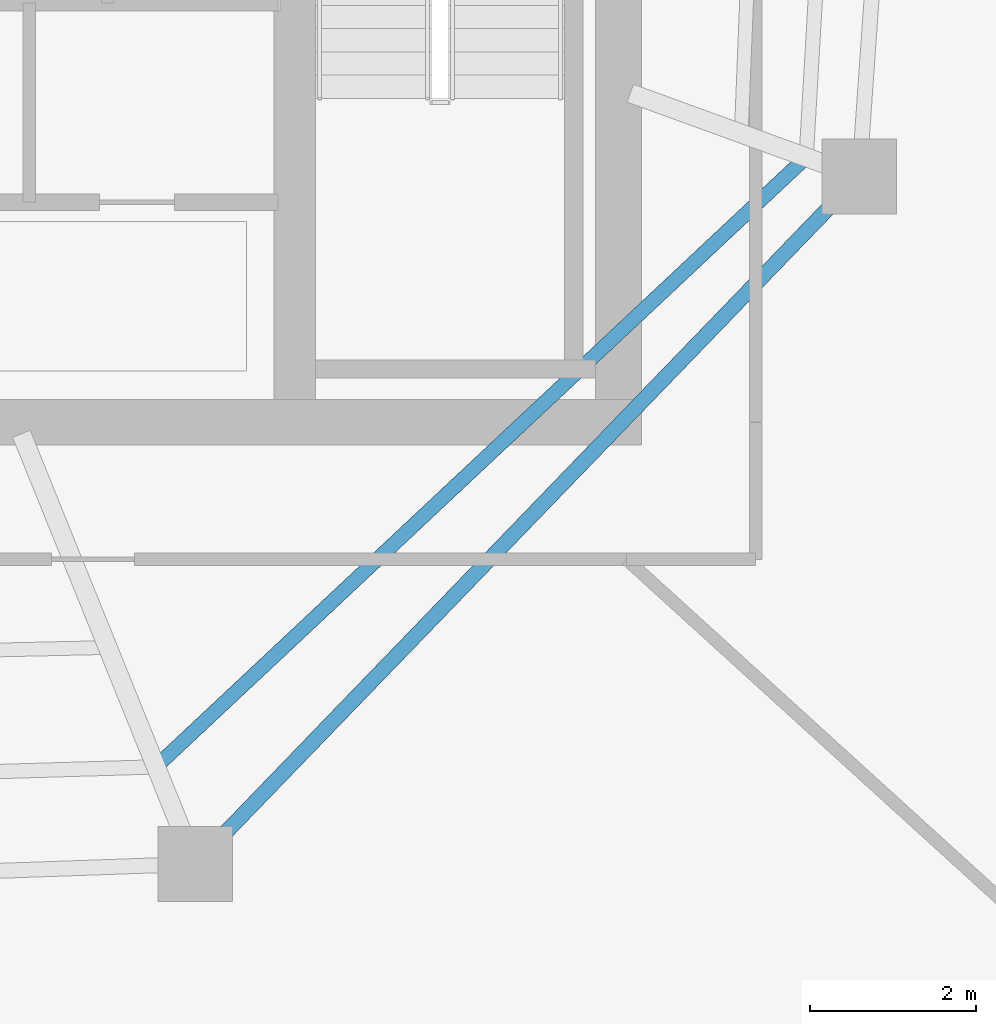
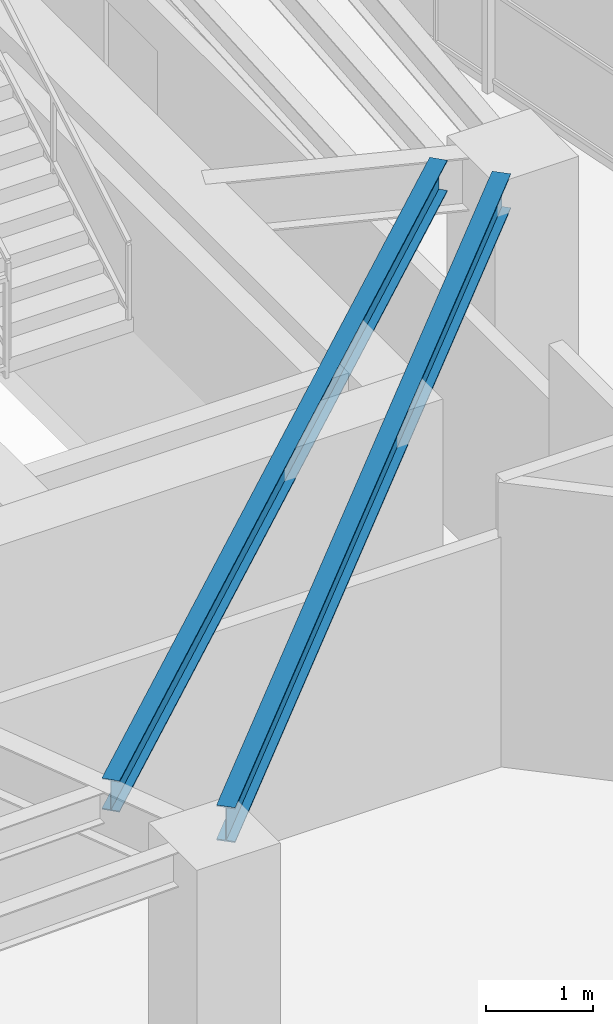
# One storey, part 5 of 18: 2 beams.
"""IFC4 building model written with IfcOpenShell, lengths in metres."""

import ifcopenshell
import ifcopenshell.guid

model = None  # the IFC model being written
_history = None  # IfcOwnerHistory: only IFC2X3 demands one
_inside = {}  # id of a spatial element -> (the spatial element, [elements in it])
_under = {}  # id of a project, library or spatial element -> (it, [spatial elements below it])
_declared = {}  # id of a project -> (the project, [libraries it declares])
_typed = {}  # id of a type object -> (the type object, [elements of that type])
_made_of = {}  # id of a material, layer set ... -> (it, [elements and type objects made of it])


def new_model(schema):
    """Start an empty IFC model of exactly this schema.

    Asked for "IFC4X3", IfcOpenShell would pick the latest addendum, in which some entities
    have other attributes; the version numbers below select the first issue.
    IFC2X3 requires an IfcOwnerHistory on every rooted entity: one is made here for all.
    """
    global model, _history
    if schema == "IFC4X3":
        model = ifcopenshell.file(schema_version=(4, 3, 0, 0))
    else:
        model = ifcopenshell.file(schema=schema)
    _inside.clear()
    _under.clear()
    _declared.clear()
    _typed.clear()
    _made_of.clear()
    _history = None
    if model.schema == "IFC2X3":
        org = make("IfcOrganization", Name="unknown")
        user = make(
            "IfcPersonAndOrganization",
            ThePerson=make("IfcPerson", FamilyName="unknown"),
            TheOrganization=org,
        )
        app = make(
            "IfcApplication",
            ApplicationDeveloper=org,
            Version="unknown",
            ApplicationFullName="unknown",
            ApplicationIdentifier="unknown",
        )
        _history = make(
            "IfcOwnerHistory",
            OwningUser=user,
            OwningApplication=app,
            ChangeAction="ADDED",
            CreationDate=0,
        )
    return model


def make(cls, **values):
    """One entity of the class cls with the attributes given. An attribute that is None is left unset."""
    return model.create_entity(
        cls, **{name: value for name, value in values.items() if value is not None}
    )


def rooted(cls, **values):
    """An entity with a GlobalId (a new one), such as an element, a storey or a relation."""
    return make(cls, GlobalId=ifcopenshell.guid.new(), OwnerHistory=_history, **values)


def si_unit(unit_type, name, prefix=None):
    """IfcSIUnit, for example si_unit("LENGTHUNIT", "METRE", prefix="MILLI")."""
    return make("IfcSIUnit", UnitType=unit_type, Prefix=prefix, Name=name)


def assignment(units):
    """IfcUnitAssignment: the units of a project."""
    return None if units is None else make("IfcUnitAssignment", Units=units)


def point(xyz):
    """IfcCartesianPoint."""
    return None if xyz is None else make("IfcCartesianPoint", Coordinates=xyz)


def direction(xyz):
    """IfcDirection."""
    return None if xyz is None else make("IfcDirection", DirectionRatios=xyz)


def frame(location, z_axis=None, x_axis=None):
    """IfcAxis2Placement3D, a coordinate frame: its origin and axes. An axis left out is left unset."""
    return make(
        "IfcAxis2Placement3D",
        Location=point(location),
        Axis=direction(z_axis),
        RefDirection=direction(x_axis),
    )


def frame_2d(location, x_axis=None):
    """IfcAxis2Placement2D, a coordinate frame in the plane: its origin and x axis."""
    return make(
        "IfcAxis2Placement2D", Location=point(location), RefDirection=direction(x_axis)
    )


def origin():
    """The frame at (0, 0, 0) with its axes left unset."""
    return frame((0.0, 0.0, 0.0))


def origin_2d():
    """The frame at (0, 0) in the plane with its x axis left unset."""
    return frame_2d((0.0, 0.0))


def place(relative_to, where):
    """IfcLocalPlacement: puts the frame where relative to a parent placement (None: the world)."""
    return make(
        "IfcLocalPlacement", PlacementRelTo=relative_to, RelativePlacement=where
    )


def context(
    kind, dimensions, precision=None, world=None, true_north=None, identifier=None
):
    """IfcGeometricRepresentationContext, for example the 3D "Model" context."""
    return make(
        "IfcGeometricRepresentationContext",
        ContextIdentifier=identifier,
        ContextType=kind,
        CoordinateSpaceDimension=dimensions,
        Precision=precision,
        WorldCoordinateSystem=world,
        TrueNorth=true_north,
    )


def subcontext(parent, identifier, kind, view, scale=None):
    """IfcGeometricRepresentationSubContext, for example "Body" below "Model"."""
    return make(
        "IfcGeometricRepresentationSubContext",
        ContextIdentifier=identifier,
        ContextType=kind,
        ParentContext=parent,
        TargetScale=scale,
        TargetView=view,
    )


def project(units=None, contexts=None):
    """IfcProject with its units and contexts."""
    return rooted(
        "IfcProject",
        Name="project",
        RepresentationContexts=contexts,
        UnitsInContext=assignment(units),
    )


def spatial(cls, under=None, at=None, **own):
    """A site, building, storey or space (cls), placed at a placement, below another one or the project."""
    s = rooted(cls, ObjectPlacement=at, **own)
    if under is not None:
        _under.setdefault(under.id(), (under, []))[1].append(s)
    return s


def profile(cls, at=None, kind="AREA", **sizes):
    """A parametric profile (cls). Its sizes go by their IFC names, for example OverallWidth=200.0."""
    return make(cls, ProfileType=kind, Position=at, **sizes)


def i_section(**sizes):
    """IfcIShapeProfileDef."""
    return profile("IfcIShapeProfileDef", **sizes)


def extrude(swept, where, along, depth):
    """IfcExtrudedAreaSolid: the profile swept, set in the frame where, extruded along a direction by depth."""
    return make(
        "IfcExtrudedAreaSolid",
        SweptArea=swept,
        Position=where,
        ExtrudedDirection=direction(along),
        Depth=depth,
    )


def shape(context_of_items, identifier, shape_type, items):
    """IfcShapeRepresentation: the items that make up one representation, for example the "Body"."""
    return make(
        "IfcShapeRepresentation",
        ContextOfItems=context_of_items,
        RepresentationIdentifier=identifier,
        RepresentationType=shape_type,
        Items=items,
    )


def material(Name=None, Category=None):
    """IfcMaterial."""
    return make("IfcMaterial", Name=Name, Category=Category)


def material_profile(
    of_material, cross_section, Name=None, Category=None, Priority=None
):
    """IfcMaterialProfile: a cross section and its material."""
    return make(
        "IfcMaterialProfile",
        Name=Name,
        Material=of_material,
        Profile=cross_section,
        Priority=Priority,
        Category=Category,
    )


def profile_set(profiles, Name=None, composite=None):
    """IfcMaterialProfileSet."""
    return make(
        "IfcMaterialProfileSet",
        Name=Name,
        MaterialProfiles=profiles,
        CompositeProfile=composite,
    )


def made_of(thing, what):
    """Note that an element or type object is made of a material, layer set ...; save() writes the relation."""
    if what is not None:
        _made_of.setdefault(what.id(), (what, []))[1].append(thing)
    return thing


def type_object(cls, material=None, **own):
    """A type object (cls), such as IfcWallType, which elements share."""
    return made_of(rooted(cls, **own), material)


def element(
    cls,
    number,
    at=None,
    inside=None,
    cuts=None,
    type_object=None,
    material=None,
    context=None,
    identifier="Body",
    shape_type=None,
    held_by="IfcProductDefinitionShape",
    body=None,
    shapes=None,
    **own,
):
    """One element of the class cls, such as IfcWall. Its Tag is "e" and its number.

    at: its placement. inside: the storey or other place that contains it. cuts: it is an
    opening in that element (IfcRelVoidsElement). A single representation is given by context,
    identifier, shape_type and body (its items); several are given by shapes. held_by: the class
    of the entity that holds the representations. save() writes the other relations.
    """
    e = rooted(cls, Tag="e%d" % number, ObjectPlacement=at, **own)
    if body is not None:
        shapes = [shape(context, identifier, shape_type, body)]
    if shapes is not None:
        e.Representation = make(held_by, Representations=shapes)
    if inside is not None:
        _inside.setdefault(inside.id(), (inside, []))[1].append(e)
    if cuts is not None:
        rooted(
            "IfcRelVoidsElement", RelatingBuildingElement=cuts, RelatedOpeningElement=e
        )
    if type_object is not None:
        _typed.setdefault(type_object.id(), (type_object, []))[1].append(e)
    return made_of(e, material)


def aggregate(whole, parts):
    """IfcRelAggregates: a whole, such as a stair, and the parts it consists of."""
    return rooted("IfcRelAggregates", RelatingObject=whole, RelatedObjects=parts)


def save(model, path):
    """Write the relations noted so far, then the file.

    IfcRelAggregates (storeys below a building ...), IfcRelContainedInSpatialStructure (elements
    in a storey), IfcRelDefinesByType, IfcRelAssociatesMaterial and IfcRelDeclares: one each for
    every whole, place, type object, material and project.
    """
    for whole, parts in _under.values():
        aggregate(whole, parts)
    for where, things in _inside.values():
        rooted(
            "IfcRelContainedInSpatialStructure",
            RelatedElements=things,
            RelatingStructure=where,
        )
    for kind, things in _typed.values():
        rooted("IfcRelDefinesByType", RelatedObjects=things, RelatingType=kind)
    for what, things in _made_of.values():
        rooted("IfcRelAssociatesMaterial", RelatedObjects=things, RelatingMaterial=what)
    for by, libraries in _declared.values():
        rooted("IfcRelDeclares", RelatingContext=by, RelatedDefinitions=libraries)
    model.write(path)


model = new_model("IFC4")

# Units and contexts
model_context = context("Model", 3, precision=1e-05, world=origin(), true_north=direction((0.0, 1.0)))
body_context = subcontext(model_context, "Body", "Model", "MODEL_VIEW")
ifc_project = project(units=[si_unit("LENGTHUNIT", "METRE"), si_unit("AREAUNIT", "SQUARE_METRE"), si_unit("VOLUMEUNIT", "CUBIC_METRE"), si_unit("PLANEANGLEUNIT", "RADIAN"), si_unit("MASSUNIT", "GRAM", prefix="KILO")], contexts=[model_context])

# Site, building, storey
site_placement = place(None, origin())
site = spatial("IfcSite", under=ifc_project, at=site_placement, CompositionType="ELEMENT")
building_placement = place(site_placement, origin())
building = spatial("IfcBuilding", under=site, at=building_placement, Name="Qarnah Convention Tower", CompositionType="ELEMENT")
storey_placement = place(building_placement, frame((0.0, 0.0, 220.199951171875)))
storey = spatial("IfcBuildingStorey", under=building, at=storey_placement, Name="L59", CompositionType="ELEMENT", Elevation=220.199951171875)

# Beams
ifc_material = material(Name="Structural steel S355JR", Category="steel")
ifc_material_profile_1 = material_profile(ifc_material, i_section(OverallWidth=0.172119140625, OverallDepth=0.35595703125, WebThickness=0.007080078125, FlangeThickness=0.011962890625, at=origin_2d()), Name="W360X51")
ifc_profile_set_1 = profile_set([ifc_material_profile_1], Name="Structural steel S355JR")
beam_type_1 = type_object("IfcBeamType", Name="BM-JST-W360", PredefinedType="JOIST", material=ifc_profile_set_1)
beam_1_placement = place(storey_placement, frame((42.093994140625, 14.511962890625, 3.06201171875), z_axis=(0.729569665488, 0.683906501796, 0.0), x_axis=(-0.683906501796, 0.729569665488, 0.0)))
element("IfcBeam", 1, at=beam_1_placement, inside=storey, type_object=beam_type_1, Name="L59 joist BM-L59-SJST-08", PredefinedType="JOIST", context=body_context, shape_type="SweptSolid", body=[
    extrude(i_section(OverallWidth=0.172119140625, OverallDepth=0.35595703125, WebThickness=0.007080078125, FlangeThickness=0.011962890625, at=origin_2d()), origin(), (0.0, 0.0, 1.0), 10.55419921875),
])
ifc_material_profile_2 = material_profile(ifc_material, i_section(OverallWidth=0.179931640625, OverallDepth=0.39990234375, WebThickness=0.009033203125, FlangeThickness=0.013916015625, at=origin_2d()), Name="IPE400")
ifc_profile_set_2 = profile_set([ifc_material_profile_2], Name="Structural steel S355JR")
beam_type_2 = type_object("IfcBeamType", Name="BM-SPN-IPE400", PredefinedType="SPANDREL", material=ifc_profile_set_2)
beam_2_placement = place(storey_placement, frame((42.806884765625, 13.596923828125, 3.0400390625), z_axis=(0.694676898282, 0.719321907767, 0.0), x_axis=(-0.719321907767, 0.694676898282, 0.0)))
element("IfcBeam", 2, at=beam_2_placement, inside=storey, type_object=beam_type_2, Name="L59 spandrel BM-L59-SPN-08", PredefinedType="SPANDREL", context=body_context, shape_type="SweptSolid", body=[
    extrude(i_section(OverallWidth=0.179931640625, OverallDepth=0.39990234375, WebThickness=0.009033203125, FlangeThickness=0.013916015625, at=origin_2d()), origin(), (0.0, 0.0, 1.0), 10.62939453125),
])

save(model, "model.ifc")
